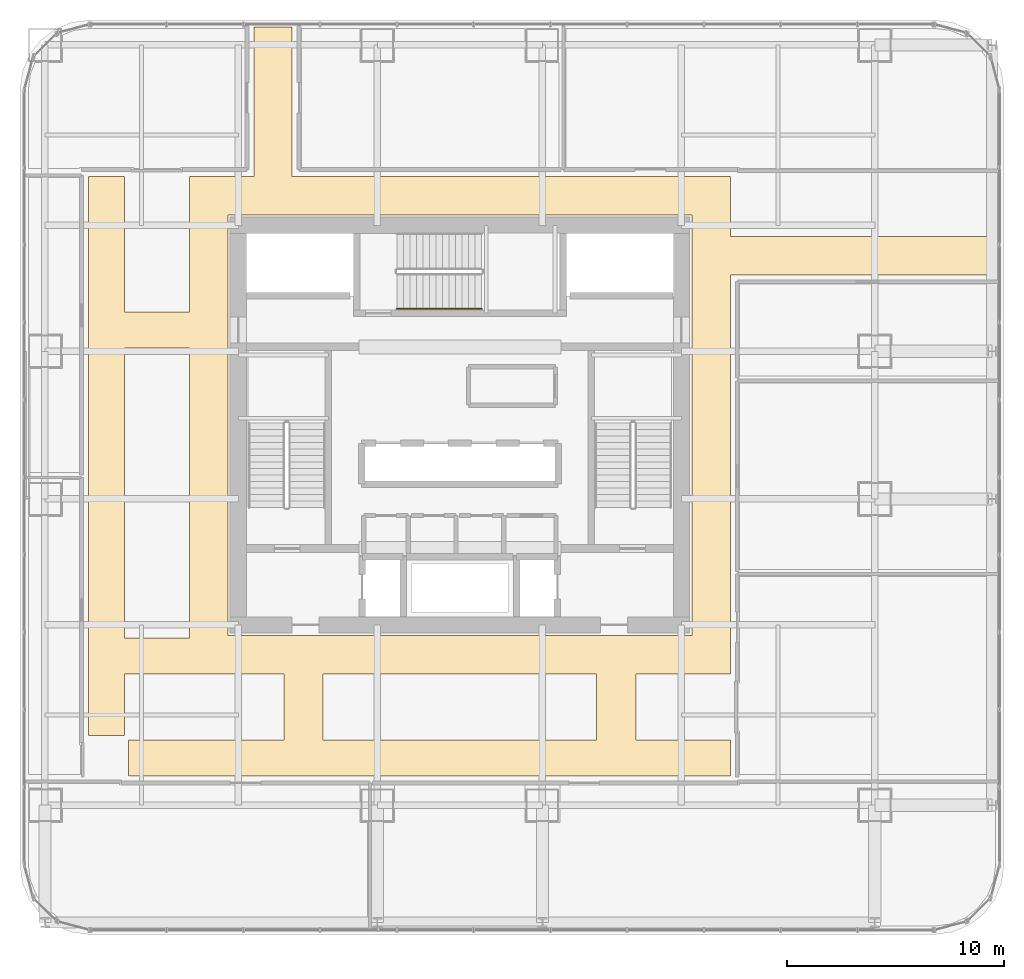
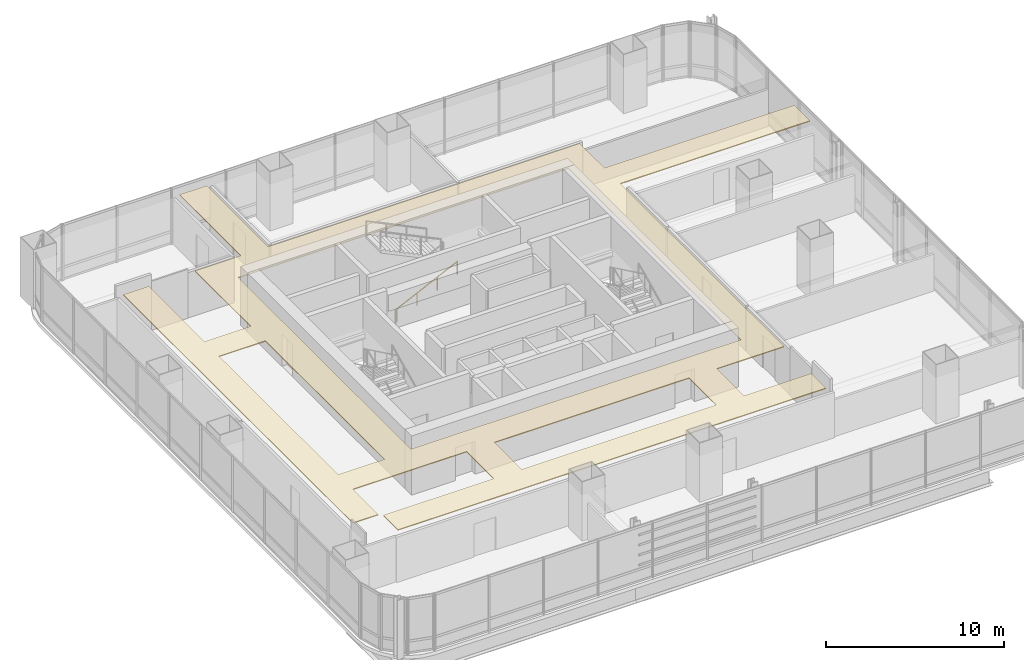
# One storey, part 33 of 35: 1 covering, 1 railing.
"""IFC4 building model written with IfcOpenShell, lengths in metres."""

from ifc_helpers import new_model, si_unit, direction, frame, origin, origin_2d, place, context, subcontext, project, spatial, polyline, circle, outline, extrude, material, layer, layer_set, type_object, element, save


model = new_model("IFC4")

# Units and contexts
model_context = context("Model", 3, precision=1e-05, world=origin(), true_north=direction((0.0, 1.0)))
body_context = subcontext(model_context, "Body", "Model", "MODEL_VIEW")
ifc_project = project(units=[si_unit("LENGTHUNIT", "METRE"), si_unit("AREAUNIT", "SQUARE_METRE"), si_unit("VOLUMEUNIT", "CUBIC_METRE"), si_unit("PLANEANGLEUNIT", "RADIAN"), si_unit("MASSUNIT", "GRAM", prefix="KILO")], contexts=[model_context])

# Site, building, storey
site_placement = place(None, origin())
site = spatial("IfcSite", under=ifc_project, at=site_placement, CompositionType="ELEMENT")
building_placement = place(site_placement, origin())
building = spatial("IfcBuilding", under=site, at=building_placement, Name="Punatoya Terracotta Tower", CompositionType="ELEMENT")
storey_placement = place(building_placement, frame((0.0, 0.0, 72.75)))
storey = spatial("IfcBuildingStorey", under=building, at=storey_placement, Name="L16", CompositionType="ELEMENT", Elevation=72.75)

# Covering
ifc_material_1 = material(Name="Acoustic Mineral Fibre Ceiling")
ifc_layer = layer(ifc_material_1, 0.06005859375)
ifc_layer_set = layer_set([ifc_layer], Name="Acoustic Mineral Fibre Ceiling")
covering_type = type_object("IfcCoveringType", Name="COV-CEIL-60", PredefinedType="CEILING", material=ifc_layer_set)
covering_placement = place(storey_placement, frame((0.0, 0.0, 3.199951171875)))
element("IfcCovering", 1, at=covering_placement, inside=storey, type_object=covering_type, Name="L16 Ring Circulation Corridor Acoustic Ceiling", PredefinedType="CEILING", context=body_context, shape_type="SweptSolid", body=[
    extrude(outline(polyline([(12.449951171875, -16.14990234375), (12.449951171875, -14.5), (8.10009765625, -14.5), (8.10009765625, -11.449951171875), (12.449951171875, -11.449951171875), (12.449951171875, 6.919921875), (24.72998046875, 6.919921875), (24.72998046875, 8.679931640625), (12.449951171875, 8.679931640625), (12.449951171875, 11.449951171875), (-7.719970703125, 11.449951171875), (-7.719970703125, 18.330078125), (-9.47998046875, 18.330078125), (-9.47998046875, 11.449951171875), (-12.449951171875, 11.449951171875), (-12.449951171875, 5.199951171875), (-15.449951171875, 5.199951171875), (-15.449951171875, 11.449951171875), (-17.10009765625, 11.449951171875), (-17.10009765625, -14.300048828125), (-15.449951171875, -14.300048828125), (-15.449951171875, -11.449951171875), (-8.10009765625, -11.449951171875), (-8.10009765625, -14.5), (-15.25, -14.5), (-15.25, -16.14990234375), (12.449951171875, -16.14990234375)]), holes=[polyline([(10.679931640625, 9.679931640625), (10.679931640625, -9.679931640625), (-10.679931640625, -9.679931640625), (-10.679931640625, 9.679931640625), (10.679931640625, 9.679931640625)]), polyline([(6.300048828125, -14.5), (-6.300048828125, -14.5), (-6.300048828125, -11.449951171875), (6.300048828125, -11.449951171875), (6.300048828125, -14.5)]), polyline([(-12.449951171875, 3.550048828125), (-12.449951171875, -9.800048828125), (-15.449951171875, -9.800048828125), (-15.449951171875, 3.550048828125), (-12.449951171875, 3.550048828125)])]), origin(), (0.0, 0.0, 1.0), 0.06005859375),
])

# Railing
ifc_material_2 = material(Name="Steel S355", Category="steel")
railing_type = type_object("IfcRailingType", Name="RLG-HND-900", PredefinedType="HANDRAIL", material=ifc_material_2)
railing_placement = place(storey_placement, frame((-2.89990234375, 5.35009765625, 0.14453125)))
element("IfcRailing", 2, at=railing_placement, inside=storey, type_object=railing_type, Name="L16 ST-3 stair handrail 1", PredefinedType="HANDRAIL", context=body_context, shape_type="SweptSolid", body=[
    extrude(circle(Radius=0.02392578125, at=origin_2d()), frame((0.0, 0.0, 0.8759765625), z_axis=(0.900763166376, 0.0, 0.434310623978), x_axis=(0.0, 1.0, 0.0)), (0.0, 0.0, 1.0), 4.32958984375),
    extrude(circle(Radius=0.02099609375, at=origin_2d()), origin(), (0.0, 0.0, 1.0), 0.851806640625),
    extrude(circle(Radius=0.02099609375, at=origin_2d()), frame((1.300048828125, 0.0, 0.626708984375)), (0.0, 0.0, 1.0), 0.851806640625),
    extrude(circle(Radius=0.02099609375, at=origin_2d()), frame((2.599853515625, 0.0, 1.253662109375)), (0.0, 0.0, 1.0), 0.851806640625),
    extrude(circle(Radius=0.02099609375, at=origin_2d()), frame((3.89990234375, 0.0, 1.88037109375)), (0.0, 0.0, 1.0), 0.851806640625),
])

save(model, "model.ifc")
